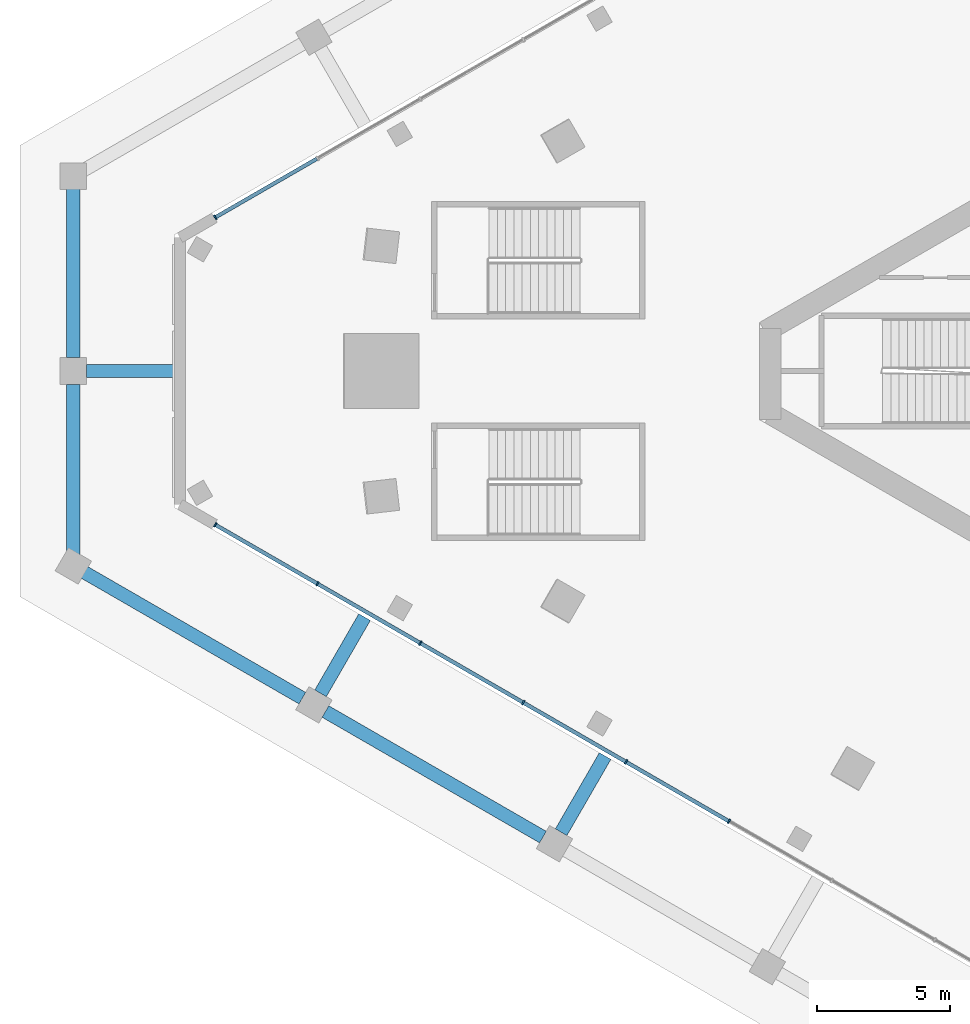
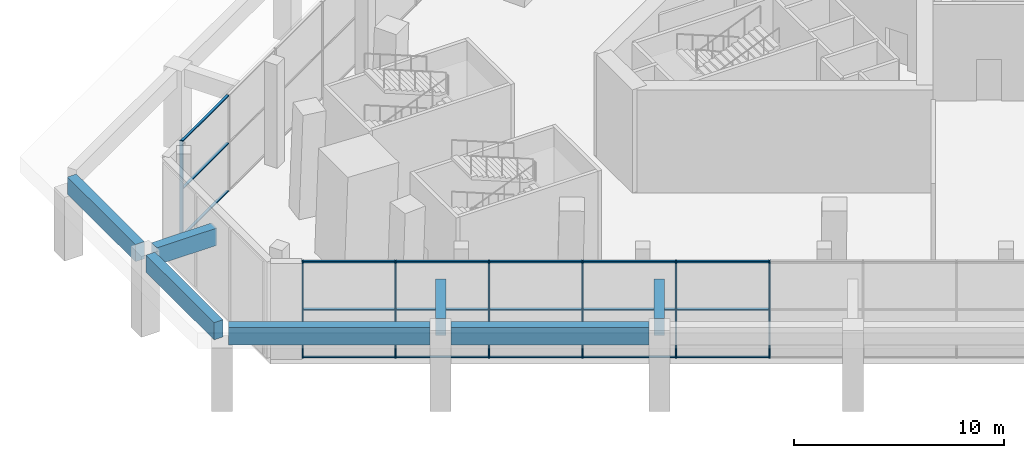
# One storey, part 6 of 51: 25 members, 7 beams, 2 elements without a shape of their own.
"""IFC4 building model written with IfcOpenShell, lengths in metres."""

from ifc_helpers import new_model, si_unit, direction, frame, origin, origin_2d, place, context, subcontext, project, spatial, rectangle, extrude, material, layer, layer_set, material_profile, profile_set, type_object, element, aggregate, save


model = new_model("IFC4")

# Units and contexts
model_context = context("Model", 3, precision=1e-05, world=origin(), true_north=direction((0.0, 1.0)))
body_context = subcontext(model_context, "Body", "Model", "MODEL_VIEW")
ifc_project = project(units=[si_unit("LENGTHUNIT", "METRE"), si_unit("AREAUNIT", "SQUARE_METRE"), si_unit("VOLUMEUNIT", "CUBIC_METRE"), si_unit("PLANEANGLEUNIT", "RADIAN"), si_unit("MASSUNIT", "GRAM", prefix="KILO")], contexts=[model_context])

# Site, building, storey
site_placement = place(None, origin())
site = spatial("IfcSite", under=ifc_project, at=site_placement, CompositionType="ELEMENT")
building_placement = place(site_placement, origin())
building = spatial("IfcBuilding", under=site, at=building_placement, Name="Jabali Bay Hotel Tower and Convention Centre", CompositionType="ELEMENT")
storey_placement = place(building_placement, frame((0.0, 0.0, 9.0)))
storey = spatial("IfcBuildingStorey", under=building, at=storey_placement, Name="L01", CompositionType="ELEMENT", Elevation=9.0)

# Beams
ifc_material_1 = material(Name="Concrete C40", Category="concrete")
ifc_material_profile_1 = material_profile(ifc_material_1, rectangle(XDim=0.5, YDim=1.0, at=origin_2d()), Name="RC 500x1000")
ifc_profile_set_1 = profile_set([ifc_material_profile_1], Name="Concrete C40")
beam_type = type_object("IfcBeamType", Name="Arcade Edge Beam 500x1000", PredefinedType="BEAM", material=ifc_profile_set_1)
for number, where, z_axis, x_axis, name in (
    (1, (22.66015625, 86.989501953125, 4.199951171875), (0.0, -1.0, 0.0), (1.0, 0.0, 0.0), "Arcade edge beam 11"),
    (2, (22.66015625, 79.5, 4.199951171875), (0.0, -1.0, 0.0), (1.0, 0.0, 0.0), "Arcade edge beam 12"),
):
    element("IfcBeam", number, at=place(storey_placement, frame(where, z_axis=z_axis, x_axis=x_axis)), inside=storey, type_object=beam_type, Name=name, PredefinedType="BEAM", context=body_context, shape_type="SweptSolid", body=[
        extrude(rectangle(XDim=0.5, YDim=1.0, at=origin_2d()), origin(), (0.0, 0.0, 1.0), 6.489501953125),
    ])
beam_1_placement = place(storey_placement, frame((22.9375, 72.530517578125, 4.199951171875), z_axis=(0.866025895183, -0.499999148871, 0.0), x_axis=(0.499999148871, 0.866025895183, 0.0)))
element("IfcBeam", 3, at=beam_1_placement, inside=storey, type_object=beam_type, Name="Arcade edge beam 13", PredefinedType="BEAM", context=body_context, shape_type="SweptSolid", body=[
    extrude(rectangle(XDim=0.5, YDim=1.0, at=origin_2d()), origin(), (0.0, 0.0, 1.0), 9.59814453125),
])
beam_2_placement = place(storey_placement, frame((32.11572265625, 67.2314453125, 4.199951171875), z_axis=(0.8660332064, -0.49998648523, 0.0), x_axis=(0.49998648523, 0.8660332064, 0.0)))
element("IfcBeam", 4, at=beam_2_placement, inside=storey, type_object=beam_type, Name="Arcade edge beam 14", PredefinedType="BEAM", context=body_context, shape_type="SweptSolid", body=[
    extrude(rectangle(XDim=0.5, YDim=1.0, at=origin_2d()), origin(), (0.0, 0.0, 1.0), 9.418212890625),
])
for number, where, z_axis, x_axis, name in (
    (5, (23.16015625, 80.0, 4.199951171875), (1.0, 0.0, 0.0), (0.0, 1.0, 0.0), "Arcade cross beam 9"),
    (6, (31.9326171875, 67.91455078125, 4.199951171875), (0.50002983664, 0.866008176907, 0.0), (-0.866008176907, 0.50002983664, 0.0), "Arcade cross beam 10"),
    (7, (40.955078125, 62.705322265625, 4.199951171875), (0.50002983664, 0.866008176907, 0.0), (-0.866008176907, 0.50002983664, 0.0), "Arcade cross beam 11"),
):
    element("IfcBeam", number, at=place(storey_placement, frame(where, z_axis=z_axis, x_axis=x_axis)), inside=storey, type_object=beam_type, Name=name, PredefinedType="BEAM", context=body_context, shape_type="SweptSolid", body=[
        extrude(rectangle(XDim=0.5, YDim=1.0, at=origin_2d()), origin(), (0.0, 0.0, 1.0), 3.300048828125),
    ])

# Curtain wall, member
ifc_material_2 = material(Name="Aluminium and glass", Category="aluminium")
ifc_layer = layer(ifc_material_2, 0.179931640625)
ifc_layer_set = layer_set([ifc_layer], Name="Aluminium and glass")
curtain_wall_type = type_object("IfcCurtainWallType", Name="CW1 curtain wall", PredefinedType="NOTDEFINED", material=ifc_layer_set)
curtain_wall_1_placement = place(storey_placement, origin())
curtain_wall_1 = element("IfcCurtainWall", 8, at=curtain_wall_1_placement, inside=storey, type_object=curtain_wall_type, Name="CW1 curtain wall north-west face L01", PredefinedType="NOTDEFINED")
ifc_material_3 = material(Name="Aluminium", Category="aluminium")
ifc_material_profile_2 = material_profile(ifc_material_3, rectangle(XDim=0.179931640625, YDim=0.06005859375, at=origin_2d()), Name="CW1 mullion 60 x 180")
ifc_profile_set_2 = profile_set([ifc_material_profile_2], Name="Aluminium")
member_type_1 = type_object("IfcMemberType", Name="CW1 mullion 60 x 180", PredefinedType="MULLION", material=ifc_profile_set_2)
member_1_placement = place(storey_placement, frame((27.9853515625, 85.764892578125, 0.0), z_axis=(0.0, 0.0, 1.0), x_axis=(-0.499999999441, 0.866025404107, 0.0)))
member_1 = element("IfcMember", 9, at=member_1_placement, type_object=member_type_1, Name="CW1 mullion 1", PredefinedType="MULLION", context=body_context, shape_type="SweptSolid", body=[
    extrude(rectangle(XDim=0.179931640625, YDim=0.06005859375, at=origin_2d()), origin(), (0.0, 0.0, 1.0), 5.60009765625),
])

# Curtain wall, members
curtain_wall_2_placement = place(storey_placement, origin())
curtain_wall_2 = element("IfcCurtainWall", 10, at=curtain_wall_2_placement, inside=storey, type_object=curtain_wall_type, Name="CW1 curtain wall south-west face L01", PredefinedType="NOTDEFINED")
member_2_placement = place(storey_placement, frame((47.248046875, 63.11376953125, 0.0), z_axis=(0.0, 0.0, 1.0), x_axis=(-0.499999999441, -0.866025404107, 0.0)))
member_2 = element("IfcMember", 11, at=member_2_placement, type_object=member_type_1, Name="CW1 mullion 13", PredefinedType="MULLION", context=body_context, shape_type="SweptSolid", body=[
    extrude(rectangle(XDim=0.179931640625, YDim=0.06005859375, at=origin_2d()), origin(), (0.0, 0.0, 1.0), 5.60009765625),
])
member_3_placement = place(storey_placement, frame((43.39013671875, 65.341064453125, 0.0), z_axis=(0.0, 0.0, 1.0), x_axis=(-0.499999999441, -0.866025404107, 0.0)))
member_3 = element("IfcMember", 12, at=member_3_placement, type_object=member_type_1, Name="CW1 mullion 14", PredefinedType="MULLION", context=body_context, shape_type="SweptSolid", body=[
    extrude(rectangle(XDim=0.179931640625, YDim=0.06005859375, at=origin_2d()), origin(), (0.0, 0.0, 1.0), 5.60009765625),
])
member_4_placement = place(storey_placement, frame((39.532470703125, 67.568115234375, 0.0), z_axis=(0.0, 0.0, 1.0), x_axis=(-0.499999999441, -0.866025404107, 0.0)))
member_4 = element("IfcMember", 13, at=member_4_placement, type_object=member_type_1, Name="CW1 mullion 15", PredefinedType="MULLION", context=body_context, shape_type="SweptSolid", body=[
    extrude(rectangle(XDim=0.179931640625, YDim=0.06005859375, at=origin_2d()), origin(), (0.0, 0.0, 1.0), 5.60009765625),
])
member_5_placement = place(storey_placement, frame((35.6748046875, 69.79541015625, 0.0), z_axis=(0.0, 0.0, 1.0), x_axis=(-0.499999999441, -0.866025404107, 0.0)))
member_5 = element("IfcMember", 14, at=member_5_placement, type_object=member_type_1, Name="CW1 mullion 16", PredefinedType="MULLION", context=body_context, shape_type="SweptSolid", body=[
    extrude(rectangle(XDim=0.179931640625, YDim=0.06005859375, at=origin_2d()), origin(), (0.0, 0.0, 1.0), 5.60009765625),
])
member_6_placement = place(storey_placement, frame((31.817138671875, 72.022705078125, 0.0), z_axis=(0.0, 0.0, 1.0), x_axis=(-0.499999999441, -0.866025404107, 0.0)))
member_6 = element("IfcMember", 15, at=member_6_placement, type_object=member_type_1, Name="CW1 mullion 17", PredefinedType="MULLION", context=body_context, shape_type="SweptSolid", body=[
    extrude(rectangle(XDim=0.179931640625, YDim=0.06005859375, at=origin_2d()), origin(), (0.0, 0.0, 1.0), 5.60009765625),
])
member_7_placement = place(storey_placement, frame((27.9853515625, 74.235107421875, 0.0), z_axis=(0.0, 0.0, 1.0), x_axis=(-0.499999999441, -0.866025404107, 0.0)))
member_7 = element("IfcMember", 16, at=member_7_placement, type_object=member_type_1, Name="CW1 mullion 18", PredefinedType="MULLION", context=body_context, shape_type="SweptSolid", body=[
    extrude(rectangle(XDim=0.179931640625, YDim=0.06005859375, at=origin_2d()), origin(), (0.0, 0.0, 1.0), 5.60009765625),
])

# Member
ifc_material_profile_3 = material_profile(ifc_material_3, rectangle(XDim=0.139892578125, YDim=0.06005859375, at=origin_2d()), Name="CW1 transom 60 x 140")
ifc_profile_set_3 = profile_set([ifc_material_profile_3], Name="Aluminium")
member_type_2 = type_object("IfcMemberType", Name="CW1 transom 60 x 140", PredefinedType="USERDEFINED", material=ifc_profile_set_3)
member_8_placement = place(storey_placement, frame((28.01123046875, 85.780029296875, 0.030029296875), z_axis=(0.86603840752, 0.499977476193, 0.0), x_axis=(-0.499977476193, 0.86603840752, 0.0)))
member_8 = element("IfcMember", 17, at=member_8_placement, type_object=member_type_2, Name="CW1 transom 1.1", ObjectType="TRANSOM", PredefinedType="USERDEFINED", context=body_context, shape_type="SweptSolid", body=[
    extrude(rectangle(XDim=0.139892578125, YDim=0.06005859375, at=origin_2d()), origin(), (0.0, 0.0, 1.0), 4.364501953125),
])

member_9_placement = place(storey_placement, frame((28.01123046875, 85.780029296875, 2.800048828125), z_axis=(0.86603840752, 0.499977476193, 0.0), x_axis=(-0.499977476193, 0.86603840752, 0.0)))
member_9 = element("IfcMember", 18, at=member_9_placement, type_object=member_type_2, Name="CW1 transom 1.2", ObjectType="TRANSOM", PredefinedType="USERDEFINED", context=body_context, shape_type="SweptSolid", body=[
    extrude(rectangle(XDim=0.139892578125, YDim=0.06005859375, at=origin_2d()), origin(), (0.0, 0.0, 1.0), 4.364501953125),
])

member_10_placement = place(storey_placement, frame((28.01123046875, 85.780029296875, 5.570068359375), z_axis=(0.86603840752, 0.499977476193, 0.0), x_axis=(-0.499977476193, 0.86603840752, 0.0)))
member_10 = element("IfcMember", 19, at=member_10_placement, type_object=member_type_2, Name="CW1 transom 1.3", ObjectType="TRANSOM", PredefinedType="USERDEFINED", context=body_context, shape_type="SweptSolid", body=[
    extrude(rectangle(XDim=0.139892578125, YDim=0.06005859375, at=origin_2d()), origin(), (0.0, 0.0, 1.0), 4.364501953125),
])

aggregate(curtain_wall_1, [member_1, member_8, member_9, member_10])

member_11_placement = place(storey_placement, frame((47.221923828125, 63.128662109375, 0.030029296875), z_axis=(-0.866019052629, 0.500011000363, 0.0), x_axis=(-0.500011000363, -0.866019052629, 0.0)))
member_11 = element("IfcMember", 20, at=member_11_placement, type_object=member_type_2, Name="CW1 transom 13.1", ObjectType="TRANSOM", PredefinedType="USERDEFINED", context=body_context, shape_type="SweptSolid", body=[
    extrude(rectangle(XDim=0.139892578125, YDim=0.06005859375, at=origin_2d()), origin(), (0.0, 0.0, 1.0), 4.39453125),
])

member_12_placement = place(storey_placement, frame((47.221923828125, 63.128662109375, 2.800048828125), z_axis=(-0.866019052629, 0.500011000363, 0.0), x_axis=(-0.500011000363, -0.866019052629, 0.0)))
member_12 = element("IfcMember", 21, at=member_12_placement, type_object=member_type_2, Name="CW1 transom 13.2", ObjectType="TRANSOM", PredefinedType="USERDEFINED", context=body_context, shape_type="SweptSolid", body=[
    extrude(rectangle(XDim=0.139892578125, YDim=0.06005859375, at=origin_2d()), origin(), (0.0, 0.0, 1.0), 4.39453125),
])

member_13_placement = place(storey_placement, frame((47.221923828125, 63.128662109375, 5.570068359375), z_axis=(-0.866019052629, 0.500011000363, 0.0), x_axis=(-0.500011000363, -0.866019052629, 0.0)))
member_13 = element("IfcMember", 22, at=member_13_placement, type_object=member_type_2, Name="CW1 transom 13.3", ObjectType="TRANSOM", PredefinedType="USERDEFINED", context=body_context, shape_type="SweptSolid", body=[
    extrude(rectangle(XDim=0.139892578125, YDim=0.06005859375, at=origin_2d()), origin(), (0.0, 0.0, 1.0), 4.39453125),
])

member_14_placement = place(storey_placement, frame((43.3642578125, 65.35595703125, 0.030029296875), z_axis=(-0.866032941432, 0.499986944184, 0.0), x_axis=(-0.499986944184, -0.866032941432, 0.0)))
member_14 = element("IfcMember", 23, at=member_14_placement, type_object=member_type_2, Name="CW1 transom 14.1", ObjectType="TRANSOM", PredefinedType="USERDEFINED", context=body_context, shape_type="SweptSolid", body=[
    extrude(rectangle(XDim=0.139892578125, YDim=0.06005859375, at=origin_2d()), origin(), (0.0, 0.0, 1.0), 4.39453125),
])

member_15_placement = place(storey_placement, frame((43.3642578125, 65.35595703125, 2.800048828125), z_axis=(-0.866032941432, 0.499986944184, 0.0), x_axis=(-0.499986944184, -0.866032941432, 0.0)))
member_15 = element("IfcMember", 24, at=member_15_placement, type_object=member_type_2, Name="CW1 transom 14.2", ObjectType="TRANSOM", PredefinedType="USERDEFINED", context=body_context, shape_type="SweptSolid", body=[
    extrude(rectangle(XDim=0.139892578125, YDim=0.06005859375, at=origin_2d()), origin(), (0.0, 0.0, 1.0), 4.39453125),
])

member_16_placement = place(storey_placement, frame((43.3642578125, 65.35595703125, 5.570068359375), z_axis=(-0.866032941432, 0.499986944184, 0.0), x_axis=(-0.499986944184, -0.866032941432, 0.0)))
member_16 = element("IfcMember", 25, at=member_16_placement, type_object=member_type_2, Name="CW1 transom 14.3", ObjectType="TRANSOM", PredefinedType="USERDEFINED", context=body_context, shape_type="SweptSolid", body=[
    extrude(rectangle(XDim=0.139892578125, YDim=0.06005859375, at=origin_2d()), origin(), (0.0, 0.0, 1.0), 4.39453125),
])

member_17_placement = place(storey_placement, frame((39.506591796875, 67.583251953125, 0.030029296875), z_axis=(-0.866032941432, 0.499986944184, 0.0), x_axis=(-0.499986944184, -0.866032941432, 0.0)))
member_17 = element("IfcMember", 26, at=member_17_placement, type_object=member_type_2, Name="CW1 transom 15.1", ObjectType="TRANSOM", PredefinedType="USERDEFINED", context=body_context, shape_type="SweptSolid", body=[
    extrude(rectangle(XDim=0.139892578125, YDim=0.06005859375, at=origin_2d()), origin(), (0.0, 0.0, 1.0), 4.39453125),
])

member_18_placement = place(storey_placement, frame((39.506591796875, 67.583251953125, 2.800048828125), z_axis=(-0.866032941432, 0.499986944184, 0.0), x_axis=(-0.499986944184, -0.866032941432, 0.0)))
member_18 = element("IfcMember", 27, at=member_18_placement, type_object=member_type_2, Name="CW1 transom 15.2", ObjectType="TRANSOM", PredefinedType="USERDEFINED", context=body_context, shape_type="SweptSolid", body=[
    extrude(rectangle(XDim=0.139892578125, YDim=0.06005859375, at=origin_2d()), origin(), (0.0, 0.0, 1.0), 4.39453125),
])

member_19_placement = place(storey_placement, frame((39.506591796875, 67.583251953125, 5.570068359375), z_axis=(-0.866032941432, 0.499986944184, 0.0), x_axis=(-0.499986944184, -0.866032941432, 0.0)))
member_19 = element("IfcMember", 28, at=member_19_placement, type_object=member_type_2, Name="CW1 transom 15.3", ObjectType="TRANSOM", PredefinedType="USERDEFINED", context=body_context, shape_type="SweptSolid", body=[
    extrude(rectangle(XDim=0.139892578125, YDim=0.06005859375, at=origin_2d()), origin(), (0.0, 0.0, 1.0), 4.39453125),
])

member_20_placement = place(storey_placement, frame((35.648681640625, 69.810546875, 0.030029296875), z_axis=(-0.866019052629, 0.500011000363, 0.0), x_axis=(-0.500011000363, -0.866019052629, 0.0)))
member_20 = element("IfcMember", 29, at=member_20_placement, type_object=member_type_2, Name="CW1 transom 16.1", ObjectType="TRANSOM", PredefinedType="USERDEFINED", context=body_context, shape_type="SweptSolid", body=[
    extrude(rectangle(XDim=0.139892578125, YDim=0.06005859375, at=origin_2d()), origin(), (0.0, 0.0, 1.0), 4.39453125),
])

member_21_placement = place(storey_placement, frame((35.648681640625, 69.810546875, 2.800048828125), z_axis=(-0.866019052629, 0.500011000363, 0.0), x_axis=(-0.500011000363, -0.866019052629, 0.0)))
member_21 = element("IfcMember", 30, at=member_21_placement, type_object=member_type_2, Name="CW1 transom 16.2", ObjectType="TRANSOM", PredefinedType="USERDEFINED", context=body_context, shape_type="SweptSolid", body=[
    extrude(rectangle(XDim=0.139892578125, YDim=0.06005859375, at=origin_2d()), origin(), (0.0, 0.0, 1.0), 4.39453125),
])

member_22_placement = place(storey_placement, frame((35.648681640625, 69.810546875, 5.570068359375), z_axis=(-0.866019052629, 0.500011000363, 0.0), x_axis=(-0.500011000363, -0.866019052629, 0.0)))
member_22 = element("IfcMember", 31, at=member_22_placement, type_object=member_type_2, Name="CW1 transom 16.3", ObjectType="TRANSOM", PredefinedType="USERDEFINED", context=body_context, shape_type="SweptSolid", body=[
    extrude(rectangle(XDim=0.139892578125, YDim=0.06005859375, at=origin_2d()), origin(), (0.0, 0.0, 1.0), 4.39453125),
])

member_23_placement = place(storey_placement, frame((31.791015625, 72.037841796875, 0.030029296875), z_axis=(-0.86603840752, 0.499977476193, 0.0), x_axis=(-0.499977476193, -0.86603840752, 0.0)))
member_23 = element("IfcMember", 32, at=member_23_placement, type_object=member_type_2, Name="CW1 transom 17.1", ObjectType="TRANSOM", PredefinedType="USERDEFINED", context=body_context, shape_type="SweptSolid", body=[
    extrude(rectangle(XDim=0.139892578125, YDim=0.06005859375, at=origin_2d()), origin(), (0.0, 0.0, 1.0), 4.364501953125),
])

member_24_placement = place(storey_placement, frame((31.791015625, 72.037841796875, 2.800048828125), z_axis=(-0.86603840752, 0.499977476193, 0.0), x_axis=(-0.499977476193, -0.86603840752, 0.0)))
member_24 = element("IfcMember", 33, at=member_24_placement, type_object=member_type_2, Name="CW1 transom 17.2", ObjectType="TRANSOM", PredefinedType="USERDEFINED", context=body_context, shape_type="SweptSolid", body=[
    extrude(rectangle(XDim=0.139892578125, YDim=0.06005859375, at=origin_2d()), origin(), (0.0, 0.0, 1.0), 4.364501953125),
])

member_25_placement = place(storey_placement, frame((31.791015625, 72.037841796875, 5.570068359375), z_axis=(-0.86603840752, 0.499977476193, 0.0), x_axis=(-0.499977476193, -0.86603840752, 0.0)))
member_25 = element("IfcMember", 34, at=member_25_placement, type_object=member_type_2, Name="CW1 transom 17.3", ObjectType="TRANSOM", PredefinedType="USERDEFINED", context=body_context, shape_type="SweptSolid", body=[
    extrude(rectangle(XDim=0.139892578125, YDim=0.06005859375, at=origin_2d()), origin(), (0.0, 0.0, 1.0), 4.364501953125),
])

aggregate(curtain_wall_2, [member_2, member_3, member_4, member_5, member_6, member_7, member_11, member_12, member_13, member_14, member_15, member_16, member_17, member_18, member_19, member_20, member_21, member_22, member_23, member_24, member_25])

save(model, "model.ifc")
